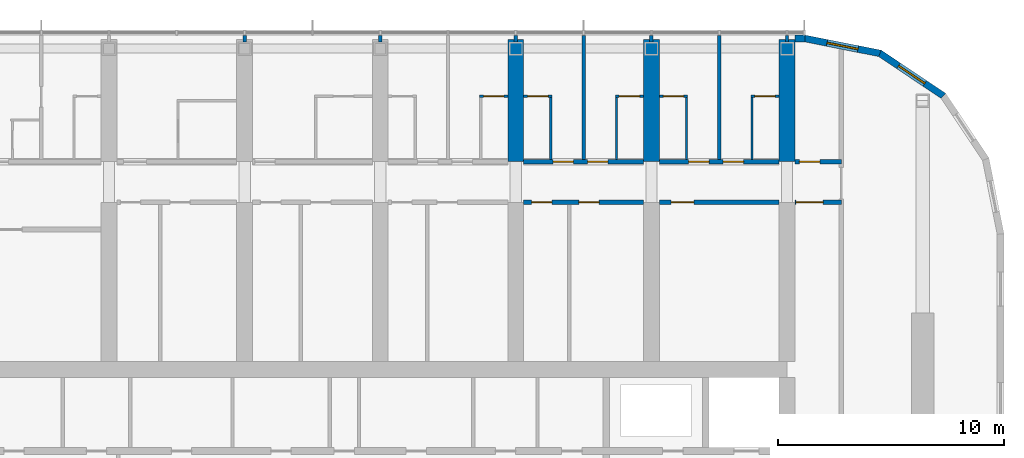
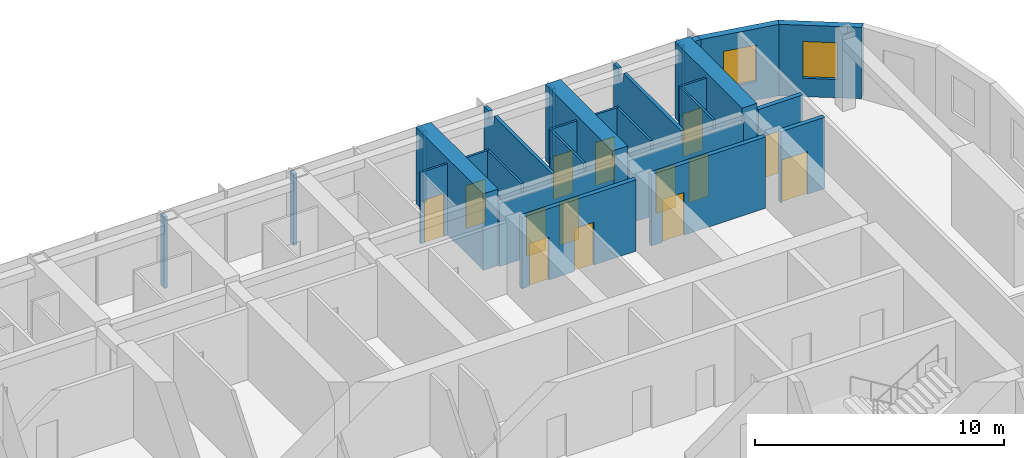
# One storey, part 18 of 24: 28 walls, 14 doors, 2 windows, 16 openings.
"""IFC4 building model written with IfcOpenShell, lengths in metres."""

from ifc_helpers import new_model, si_unit, direction, frame, frame_2d, origin, place, context, subcontext, project, spatial, polyline, rectangle, outline, extrude, material, layer, layer_set, type_object, element, fill, save


model = new_model("IFC4")

# Units and contexts
model_context = context("Model", 3, precision=1e-05, world=origin(), true_north=direction((0.0, 1.0)))
body_context = subcontext(model_context, "Body", "Model", "MODEL_VIEW")
ifc_project = project(units=[si_unit("LENGTHUNIT", "METRE"), si_unit("AREAUNIT", "SQUARE_METRE"), si_unit("VOLUMEUNIT", "CUBIC_METRE"), si_unit("PLANEANGLEUNIT", "RADIAN"), si_unit("MASSUNIT", "GRAM", prefix="KILO")], contexts=[model_context])

# Site, building, storey
site_placement = place(None, origin())
site = spatial("IfcSite", under=ifc_project, at=site_placement, CompositionType="ELEMENT")
building_placement = place(site_placement, origin())
building = spatial("IfcBuilding", under=site, at=building_placement, Name="Orbita Commons", CompositionType="ELEMENT")
storey_placement = place(building_placement, frame((0.0, 0.0, 239.050048828125)))
storey = spatial("IfcBuildingStorey", under=building, at=storey_placement, Name="L59", CompositionType="ELEMENT", Elevation=239.050048828125)

# Wall, openings, doors
ifc_material_1 = material(Name="Concrete blockwork", Category="masonry")
ifc_layer_1 = layer(ifc_material_1, 0.199951171875)
ifc_layer_set_1 = layer_set([ifc_layer_1], Name="Concrete blockwork")
wall_type_1 = type_object("IfcWallType", Name="Corridor wall 200 blockwork", PredefinedType="SOLIDWALL", material=ifc_layer_set_1)
wall_1_placement = place(storey_placement, frame((54.35009765625, 47.39990234375, 0.0), z_axis=(0.0, 0.0, 1.0), x_axis=(1.0, 0.0, 0.0)))
wall_1 = element("IfcWall", 1, at=wall_1_placement, inside=storey, type_object=wall_type_1, Name="Corridor wall 200 blockwork L59", PredefinedType="SOLIDWALL", context=body_context, shape_type="SweptSolid", body=[
    extrude(outline(polyline([(0.0, 0.0), (5.2998046875, 0.0), (5.300048828125, 3.099853515625), (0.0, 3.099853515625), (0.0, 0.0)])), frame((0.0, 0.10009765625, 0.0), z_axis=(0.0, -1.0, 0.0), x_axis=(1.0, 0.0, 0.0)), (0.0, 0.0, 1.0), 0.199951171875),
])
opening_1_placement = place(wall_1_placement, frame((1.300048828125, 0.0, 0.0)))
opening_1 = element("IfcOpeningElement", 2, at=opening_1_placement, cuts=wall_1, Name="Opening D11", PredefinedType="OPENING", context=body_context, shape_type="SweptSolid", body=[
    extrude(rectangle(XDim=0.89990234375, YDim=2.10009765625, at=frame_2d((0.449951171875, 1.050048828125))), frame((0.0, 0.10986328125, 0.0), z_axis=(0.0, -1.0, 0.0), x_axis=(1.0, 0.0, 0.0)), (0.0, 0.0, 1.0), 0.219970703125),
])
opening_2_placement = place(wall_1_placement, frame((2.824951171875, 0.0, 0.0)))
opening_2 = element("IfcOpeningElement", 3, at=opening_2_placement, cuts=wall_1, Name="Opening D11", PredefinedType="OPENING", context=body_context, shape_type="SweptSolid", body=[
    extrude(rectangle(XDim=0.89990234375, YDim=2.10009765625, at=frame_2d((0.449951171875, 1.050048828125))), frame((0.0, 0.10986328125, 0.0), z_axis=(0.0, -1.0, 0.0), x_axis=(1.0, 0.0, 0.0)), (0.0, 0.0, 1.0), 0.219970703125),
])
ifc_material_2 = material(Name="Steel-faced fire door leaf", Category="steel")
door_type_1 = type_object("IfcDoorType", Name="Corridor door 20 min 900x2100", OperationType="SINGLE_SWING_LEFT", PredefinedType="DOOR", material=ifc_material_2)
door_1_placement = place(opening_1_placement, origin())
door_1 = element("IfcDoor", 4, at=door_1_placement, inside=storey, type_object=door_type_1, Name="Cluster bedroom L59-N12 door", OperationType="SINGLE_SWING_LEFT", OverallHeight=2.10009765625, OverallWidth=0.89990234375, PredefinedType="DOOR", context=body_context, shape_type="SweptSolid", body=[
    extrude(rectangle(XDim=0.89990234375, YDim=2.10009765625, at=frame_2d((0.449951171875, 1.050048828125))), frame((0.0, 0.02490234375, 0.0), z_axis=(0.0, -1.0, 0.0), x_axis=(1.0, 0.0, 0.0)), (0.0, 0.0, 1.0), 0.050048828125),
])
fill(opening_1, door_1)
door_2_placement = place(opening_2_placement, origin())
door_2 = element("IfcDoor", 5, at=door_2_placement, inside=storey, type_object=door_type_1, Name="Cluster bedroom L59-N13 door", OperationType="SINGLE_SWING_LEFT", OverallHeight=2.10009765625, OverallWidth=0.89990234375, PredefinedType="DOOR", context=body_context, shape_type="SweptSolid", body=[
    extrude(rectangle(XDim=0.89990234375, YDim=2.10009765625, at=frame_2d((0.449951171875, 1.050048828125))), frame((0.0, 0.02490234375, 0.0), z_axis=(0.0, -1.0, 0.0), x_axis=(1.0, 0.0, 0.0)), (0.0, 0.0, 1.0), 0.050048828125),
])
fill(opening_2, door_2)

wall_2_placement = place(storey_placement, frame((60.35009765625, 47.39990234375, 0.0), z_axis=(0.0, 0.0, 1.0), x_axis=(1.0, 0.0, 0.0)))
wall_2 = element("IfcWall", 6, at=wall_2_placement, inside=storey, type_object=wall_type_1, Name="Corridor wall 200 blockwork L59", PredefinedType="SOLIDWALL", context=body_context, shape_type="SweptSolid", body=[
    extrude(outline(polyline([(0.0, 0.0), (5.2998046875, 0.0), (5.300048828125, 3.099853515625), (0.0, 3.099853515625), (0.0, 0.0)])), frame((0.0, 0.10009765625, 0.0), z_axis=(0.0, -1.0, 0.0), x_axis=(1.0, 0.0, 0.0)), (0.0, 0.0, 1.0), 0.199951171875),
])
opening_3_placement = place(wall_2_placement, frame((1.300048828125, 0.0, 0.0)))
opening_3 = element("IfcOpeningElement", 7, at=opening_3_placement, cuts=wall_2, Name="Opening D11", PredefinedType="OPENING", context=body_context, shape_type="SweptSolid", body=[
    extrude(rectangle(XDim=0.89990234375, YDim=2.10009765625, at=frame_2d((0.449951171875, 1.050048828125))), frame((0.0, 0.10986328125, 0.0), z_axis=(0.0, -1.0, 0.0), x_axis=(1.0, 0.0, 0.0)), (0.0, 0.0, 1.0), 0.219970703125),
])
opening_4_placement = place(wall_2_placement, frame((2.824951171875, 0.0, 0.0)))
opening_4 = element("IfcOpeningElement", 8, at=opening_4_placement, cuts=wall_2, Name="Opening D11", PredefinedType="OPENING", context=body_context, shape_type="SweptSolid", body=[
    extrude(rectangle(XDim=0.89990234375, YDim=2.10009765625, at=frame_2d((0.449951171875, 1.050048828125))), frame((0.0, 0.10986328125, 0.0), z_axis=(0.0, -1.0, 0.0), x_axis=(1.0, 0.0, 0.0)), (0.0, 0.0, 1.0), 0.219970703125),
])
door_3_placement = place(opening_3_placement, origin())
door_3 = element("IfcDoor", 9, at=door_3_placement, inside=storey, type_object=door_type_1, Name="Cluster bedroom L59-N14 door", OperationType="SINGLE_SWING_LEFT", OverallHeight=2.10009765625, OverallWidth=0.89990234375, PredefinedType="DOOR", context=body_context, shape_type="SweptSolid", body=[
    extrude(rectangle(XDim=0.89990234375, YDim=2.10009765625, at=frame_2d((0.449951171875, 1.050048828125))), frame((0.0, 0.02490234375, 0.0), z_axis=(0.0, -1.0, 0.0), x_axis=(1.0, 0.0, 0.0)), (0.0, 0.0, 1.0), 0.050048828125),
])
fill(opening_3, door_3)
door_4_placement = place(opening_4_placement, origin())
door_4 = element("IfcDoor", 10, at=door_4_placement, inside=storey, type_object=door_type_1, Name="Cluster bedroom L59-N15 door", OperationType="SINGLE_SWING_LEFT", OverallHeight=2.10009765625, OverallWidth=0.89990234375, PredefinedType="DOOR", context=body_context, shape_type="SweptSolid", body=[
    extrude(rectangle(XDim=0.89990234375, YDim=2.10009765625, at=frame_2d((0.449951171875, 1.050048828125))), frame((0.0, 0.02490234375, 0.0), z_axis=(0.0, -1.0, 0.0), x_axis=(1.0, 0.0, 0.0)), (0.0, 0.0, 1.0), 0.050048828125),
])
fill(opening_4, door_4)

# Wall, opening, door
wall_3_placement = place(storey_placement, frame((66.35009765625, 47.39990234375, 0.0), z_axis=(0.0, 0.0, 1.0), x_axis=(1.0, 0.0, 0.0)))
wall_3 = element("IfcWall", 11, at=wall_3_placement, inside=storey, type_object=wall_type_1, Name="Corridor wall 200 blockwork L59", PredefinedType="SOLIDWALL", context=body_context, shape_type="SweptSolid", body=[
    extrude(rectangle(XDim=2.0498046875, YDim=0.199951171875, at=frame_2d((1.02490234375, 0.0))), origin(), (0.0, 0.0, 1.0), 3.5),
])
opening_5_placement = place(wall_3_placement, frame((0.199951171875, 0.0, 0.0)))
opening_5 = element("IfcOpeningElement", 12, at=opening_5_placement, cuts=wall_3, Name="Opening D05", PredefinedType="OPENING", context=body_context, shape_type="SweptSolid", body=[
    extrude(rectangle(XDim=0.89990234375, YDim=2.10009765625, at=frame_2d((0.449951171875, 1.050048828125))), frame((0.0, 0.10986328125, 0.0), z_axis=(0.0, -1.0, 0.0), x_axis=(1.0, 0.0, 0.0)), (0.0, 0.0, 1.0), 0.219970703125),
])
ifc_material_3 = material(Name="Steel-faced fire door leaf", Category="steel")
door_type_2 = type_object("IfcDoorType", Name="Service door 20 min 900x2100", OperationType="SINGLE_SWING_LEFT", PredefinedType="DOOR", material=ifc_material_3)
door_5_placement = place(opening_5_placement, origin())
door_5 = element("IfcDoor", 13, at=door_5_placement, inside=storey, type_object=door_type_2, Name="Linen store L59-KEN door", OperationType="SINGLE_SWING_LEFT", OverallHeight=2.10009765625, OverallWidth=0.89990234375, PredefinedType="DOOR", context=body_context, shape_type="SweptSolid", body=[
    extrude(rectangle(XDim=0.89990234375, YDim=2.10009765625, at=frame_2d((0.449951171875, 1.050048828125))), frame((0.0, 0.02490234375, 0.0), z_axis=(0.0, -1.0, 0.0), x_axis=(1.0, 0.0, 0.0)), (0.0, 0.0, 1.0), 0.050048828125),
])
fill(opening_5, door_5)

# Wall, openings, doors
ifc_material_4 = material(Name="Hollow concrete block 200", Category="concrete")
ifc_layer_2 = layer(ifc_material_4, 0.199951171875)
ifc_layer_set_2 = layer_set([ifc_layer_2], Name="Hollow concrete block 200")
wall_type_2 = type_object("IfcWallType", Name="Corridor wall 200 hollow concrete block", PredefinedType="SOLIDWALL", material=ifc_layer_set_2)
wall_4_placement = place(storey_placement, frame((54.35009765625, 45.60009765625, 0.0), z_axis=(0.0, 0.0, 1.0), x_axis=(1.0, 0.0, 0.0)))
wall_4 = element("IfcWall", 14, at=wall_4_placement, inside=storey, type_object=wall_type_2, Name="Corridor wall 200 hollow concrete block L59", PredefinedType="SOLIDWALL", context=body_context, shape_type="SweptSolid", body=[
    extrude(rectangle(XDim=5.2998046875, YDim=0.199951171875, at=frame_2d((2.64990234375, 0.0))), origin(), (0.0, 0.0, 1.0), 3.5),
])
opening_6_placement = place(wall_4_placement, frame((0.35009765625, 0.0, 0.0)))
opening_6 = element("IfcOpeningElement", 15, at=opening_6_placement, cuts=wall_4, Name="Opening D11", PredefinedType="OPENING", context=body_context, shape_type="SweptSolid", body=[
    extrude(rectangle(XDim=0.89990234375, YDim=2.10009765625, at=frame_2d((0.449951171875, 1.050048828125))), frame((0.0, 0.10986328125, 0.0), z_axis=(0.0, -1.0, 0.0), x_axis=(1.0, 0.0, 0.0)), (0.0, 0.0, 1.0), 0.219970703125),
])
opening_7_placement = place(wall_4_placement, frame((2.43505859375, 0.0, 0.0)))
opening_7 = element("IfcOpeningElement", 16, at=opening_7_placement, cuts=wall_4, Name="Opening D11", PredefinedType="OPENING", context=body_context, shape_type="SweptSolid", body=[
    extrude(rectangle(XDim=0.89990234375, YDim=2.10009765625, at=frame_2d((0.449951171875, 1.050048828125))), frame((0.0, 0.10986328125, 0.0), z_axis=(0.0, -1.0, 0.0), x_axis=(1.0, 0.0, 0.0)), (0.0, 0.0, 1.0), 0.219970703125),
])
door_6_placement = place(opening_6_placement, origin())
door_6 = element("IfcDoor", 17, at=door_6_placement, inside=storey, type_object=door_type_1, Name="Sprinkler valve room L59-BDN54n door", OperationType="SINGLE_SWING_LEFT", OverallHeight=2.10009765625, OverallWidth=0.89990234375, PredefinedType="DOOR", context=body_context, shape_type="SweptSolid", body=[
    extrude(rectangle(XDim=0.89990234375, YDim=2.10009765625, at=frame_2d((0.449951171875, 1.050048828125))), frame((0.0, 0.02490234375, 0.0), z_axis=(0.0, -1.0, 0.0), x_axis=(1.0, 0.0, 0.0)), (0.0, 0.0, 1.0), 0.050048828125),
])
fill(opening_6, door_6)
door_7_placement = place(opening_7_placement, origin())
door_7 = element("IfcDoor", 18, at=door_7_placement, inside=storey, type_object=door_type_1, Name="Storage lockers L59-BDN54 door", OperationType="SINGLE_SWING_LEFT", OverallHeight=2.10009765625, OverallWidth=0.89990234375, PredefinedType="DOOR", context=body_context, shape_type="SweptSolid", body=[
    extrude(rectangle(XDim=0.89990234375, YDim=2.10009765625, at=frame_2d((0.449951171875, 1.050048828125))), frame((0.0, 0.02490234375, 0.0), z_axis=(0.0, -1.0, 0.0), x_axis=(1.0, 0.0, 0.0)), (0.0, 0.0, 1.0), 0.050048828125),
])
fill(opening_7, door_7)

# Wall, opening, door
wall_5_placement = place(storey_placement, frame((60.35009765625, 45.60009765625, 0.0), z_axis=(0.0, 0.0, 1.0), x_axis=(1.0, 0.0, 0.0)))
wall_5 = element("IfcWall", 19, at=wall_5_placement, inside=storey, type_object=wall_type_2, Name="Corridor wall 200 hollow concrete block L59", PredefinedType="SOLIDWALL", context=body_context, shape_type="SweptSolid", body=[
    extrude(rectangle(XDim=5.2998046875, YDim=0.199951171875, at=frame_2d((2.64990234375, 0.0))), origin(), (0.0, 0.0, 1.0), 3.5),
])
opening_8_placement = place(wall_5_placement, frame((0.52490234375, 0.0, 0.0)))
opening_8 = element("IfcOpeningElement", 20, at=opening_8_placement, cuts=wall_5, Name="Opening D06", PredefinedType="OPENING", context=body_context, shape_type="SweptSolid", body=[
    extrude(rectangle(XDim=1.0, YDim=2.10009765625, at=frame_2d((0.5, 1.050048828125))), frame((0.0, 0.10986328125, 0.0), z_axis=(0.0, -1.0, 0.0), x_axis=(1.0, 0.0, 0.0)), (0.0, 0.0, 1.0), 0.219970703125),
])
ifc_material_5 = material(Name="Steel-faced fire door leaf", Category="steel")
door_type_3 = type_object("IfcDoorType", Name="Corridor door 20 min 1000x2100", OperationType="SINGLE_SWING_LEFT", PredefinedType="DOOR", material=ifc_material_5)
door_8_placement = place(opening_8_placement, origin())
door_8 = element("IfcDoor", 21, at=door_8_placement, inside=storey, type_object=door_type_3, Name="Store L59-BDN60 door", OperationType="SINGLE_SWING_LEFT", OverallHeight=2.10009765625, OverallWidth=1.0, PredefinedType="DOOR", context=body_context, shape_type="SweptSolid", body=[
    extrude(rectangle(XDim=1.0, YDim=2.10009765625, at=frame_2d((0.5, 1.050048828125))), frame((0.0, 0.02490234375, 0.0), z_axis=(0.0, -1.0, 0.0), x_axis=(1.0, 0.0, 0.0)), (0.0, 0.0, 1.0), 0.050048828125),
])
fill(opening_8, door_8)

wall_6_placement = place(storey_placement, frame((66.35009765625, 45.60009765625, 0.0), z_axis=(0.0, 0.0, 1.0), x_axis=(1.0, 0.0, 0.0)))
wall_6 = element("IfcWall", 22, at=wall_6_placement, inside=storey, type_object=wall_type_2, Name="Corridor wall 200 hollow concrete block L59", PredefinedType="SOLIDWALL", context=body_context, shape_type="SweptSolid", body=[
    extrude(rectangle(XDim=2.0498046875, YDim=0.199951171875, at=frame_2d((1.02490234375, 0.0))), origin(), (0.0, 0.0, 1.0), 3.5),
])
opening_9_placement = place(wall_6_placement, frame((0.050048828125, 0.0, 0.0)))
opening_9 = element("IfcOpeningElement", 23, at=opening_9_placement, cuts=wall_6, Name="Opening D12", PredefinedType="OPENING", context=body_context, shape_type="SweptSolid", body=[
    extrude(rectangle(XDim=1.199951171875, YDim=2.10009765625, at=frame_2d((0.60009765625, 1.050048828125))), frame((0.0, 0.10986328125, 0.0), z_axis=(0.0, -1.0, 0.0), x_axis=(1.0, 0.0, 0.0)), (0.0, 0.0, 1.0), 0.219970703125),
])
ifc_material_6 = material(Name="Steel-faced fire door leaf", Category="steel")
door_type_4 = type_object("IfcDoorType", Name="Double corridor door 20 min 1200x2100", OperationType="DOUBLE_DOOR_SINGLE_SWING", PredefinedType="DOOR", material=ifc_material_6)
door_9_placement = place(opening_9_placement, origin())
door_9 = element("IfcDoor", 24, at=door_9_placement, inside=storey, type_object=door_type_4, Name="Cross corridor doors", OperationType="DOUBLE_DOOR_SINGLE_SWING", OverallHeight=2.10009765625, OverallWidth=1.199951171875, PredefinedType="DOOR", context=body_context, shape_type="SweptSolid", body=[
    extrude(rectangle(XDim=1.199951171875, YDim=2.10009765625, at=frame_2d((0.60009765625, 1.050048828125))), frame((0.0, 0.02490234375, 0.0), z_axis=(0.0, -1.0, 0.0), x_axis=(1.0, 0.0, 0.0)), (0.0, 0.0, 1.0), 0.050048828125),
])
fill(opening_9, door_9)

# Walls
ifc_material_7 = material(Name="Concrete C50/60", Category="concrete")
ifc_layer_3 = layer(ifc_material_7, 0.699951171875)
ifc_layer_set_3 = layer_set([ifc_layer_3], Name="Concrete C50/60")
wall_type_3 = type_object("IfcWallType", Name="Cross wall 700 C50/60", PredefinedType="SHEAR", material=ifc_layer_set_3)
for number, where, z_axis, x_axis, name in (
    (25, (54.0, 47.39990234375, 0.0), (0.0, 0.0, 1.0), (0.0, 1.0, 0.0), "Cross wall 10 north outer L59"),
    (26, (60.0, 47.39990234375, 0.0), (0.0, 0.0, 1.0), (0.0, 1.0, 0.0), "Cross wall 11 north outer L59"),
    (27, (66.0, 47.39990234375, 0.0), (0.0, 0.0, 1.0), (0.0, 1.0, 0.0), "Cross wall 12 north outer L59"),
):
    element("IfcWall", number, at=place(storey_placement, frame(where, z_axis=z_axis, x_axis=x_axis)), inside=storey, type_object=wall_type_3, Name=name, PredefinedType="SHEAR", context=body_context, shape_type="SweptSolid", body=[
        extrude(rectangle(XDim=5.400146484375, YDim=0.699951171875, at=frame_2d((2.7001953125, 0.0))), origin(), (0.0, 0.0, 1.0), 3.75),
    ])

# Wall, opening, door
ifc_material_8 = material(Name="Moisture-resistant plasterboard on steel studs", Category="steel")
ifc_layer_4 = layer(ifc_material_8, 0.10009765625)
ifc_layer_set_4 = layer_set([ifc_layer_4], Name="Moisture-resistant plasterboard on steel studs")
wall_type_4 = type_object("IfcWallType", Name="En-suite partition 100", PredefinedType="PARTITIONING", material=ifc_layer_set_4)
wall_7_placement = place(storey_placement, frame((52.39990234375, 50.300048828125, 0.0), z_axis=(0.0, 0.0, 1.0), x_axis=(1.0, 0.0, 0.0)))
wall_7 = element("IfcWall", 28, at=wall_7_placement, inside=storey, type_object=wall_type_4, Name="En-suite partition 100 L59", PredefinedType="PARTITIONING", context=body_context, shape_type="SweptSolid", body=[
    extrude(rectangle(XDim=1.25, YDim=0.10009765625, at=frame_2d((0.625, 0.0))), origin(), (0.0, 0.0, 1.0), 3.5),
])
opening_10_placement = place(wall_7_placement, frame((0.175048828125, 0.0, 0.0)))
opening_10 = element("IfcOpeningElement", 29, at=opening_10_placement, cuts=wall_7, Name="Opening D09", PredefinedType="OPENING", context=body_context, shape_type="SweptSolid", body=[
    extrude(rectangle(XDim=0.89990234375, YDim=2.10009765625, at=frame_2d((0.449951171875, 1.050048828125))), frame((0.0, 0.06005859375, 0.0), z_axis=(0.0, -1.0, 0.0), x_axis=(1.0, 0.0, 0.0)), (0.0, 0.0, 1.0), 0.1201171875),
])
ifc_material_9 = material(Name="Laminated timber door leaf", Category="wood")
door_type_5 = type_object("IfcDoorType", Name="En-suite door 900x2100", OperationType="SINGLE_SWING_RIGHT", PredefinedType="DOOR", material=ifc_material_9)
door_10_placement = place(opening_10_placement, origin())
door_10 = element("IfcDoor", 30, at=door_10_placement, inside=storey, type_object=door_type_5, Name="En-suite L59-N11 door", OperationType="SINGLE_SWING_RIGHT", OverallHeight=2.10009765625, OverallWidth=0.89990234375, PredefinedType="DOOR", context=body_context, shape_type="SweptSolid", body=[
    extrude(rectangle(XDim=0.89990234375, YDim=2.10009765625, at=frame_2d((0.449951171875, 1.050048828125))), frame((0.0, 0.02490234375, 0.0), z_axis=(0.0, -1.0, 0.0), x_axis=(1.0, 0.0, 0.0)), (0.0, 0.0, 1.0), 0.050048828125),
])
fill(opening_10, door_10)

wall_8_placement = place(storey_placement, frame((54.35009765625, 50.300048828125, 0.0), z_axis=(0.0, 0.0, 1.0), x_axis=(1.0, 0.0, 0.0)))
wall_8 = element("IfcWall", 31, at=wall_8_placement, inside=storey, type_object=wall_type_4, Name="En-suite partition 100 L59", PredefinedType="PARTITIONING", context=body_context, shape_type="SweptSolid", body=[
    extrude(rectangle(XDim=1.25, YDim=0.10009765625, at=frame_2d((0.625, 0.0))), origin(), (0.0, 0.0, 1.0), 3.5),
])
opening_11_placement = place(wall_8_placement, frame((0.175048828125, 0.0, 0.0)))
opening_11 = element("IfcOpeningElement", 32, at=opening_11_placement, cuts=wall_8, Name="Opening D09", PredefinedType="OPENING", context=body_context, shape_type="SweptSolid", body=[
    extrude(rectangle(XDim=0.89990234375, YDim=2.10009765625, at=frame_2d((0.449951171875, 1.050048828125))), frame((0.0, 0.06005859375, 0.0), z_axis=(0.0, -1.0, 0.0), x_axis=(1.0, 0.0, 0.0)), (0.0, 0.0, 1.0), 0.1201171875),
])
door_11_placement = place(opening_11_placement, origin())
door_11 = element("IfcDoor", 33, at=door_11_placement, inside=storey, type_object=door_type_5, Name="En-suite L59-N12 door", OperationType="SINGLE_SWING_RIGHT", OverallHeight=2.10009765625, OverallWidth=0.89990234375, PredefinedType="DOOR", context=body_context, shape_type="SweptSolid", body=[
    extrude(rectangle(XDim=0.89990234375, YDim=2.10009765625, at=frame_2d((0.449951171875, 1.050048828125))), frame((0.0, 0.02490234375, 0.0), z_axis=(0.0, -1.0, 0.0), x_axis=(1.0, 0.0, 0.0)), (0.0, 0.0, 1.0), 0.050048828125),
])
fill(opening_11, door_11)

# Wall
wall_9_placement = place(storey_placement, frame((55.550048828125, 50.25, 0.0), z_axis=(0.0, 0.0, 1.0), x_axis=(0.0, -1.0, 0.0)))
element("IfcWall", 34, at=wall_9_placement, inside=storey, type_object=wall_type_4, Name="En-suite partition 100 L59", PredefinedType="PARTITIONING", context=body_context, shape_type="SweptSolid", body=[
    extrude(outline(polyline([(0.0, 0.0), (2.75, 0.0), (2.75, 3.099853515625), (2.701904296875, 3.099853515625), (2.699951171875, 3.5), (0.0, 3.5), (0.0, 0.0)])), frame((0.0, 0.050048828125, 0.0), z_axis=(0.0, -1.0, 0.0), x_axis=(1.0, 0.0, 0.0)), (0.0, 0.0, 1.0), 0.10009765625),
])

# Wall, opening, door
wall_10_placement = place(storey_placement, frame((58.39990234375, 50.300048828125, 0.0), z_axis=(0.0, 0.0, 1.0), x_axis=(1.0, 0.0, 0.0)))
wall_10 = element("IfcWall", 35, at=wall_10_placement, inside=storey, type_object=wall_type_4, Name="En-suite partition 100 L59", PredefinedType="PARTITIONING", context=body_context, shape_type="SweptSolid", body=[
    extrude(rectangle(XDim=1.25, YDim=0.10009765625, at=frame_2d((0.625, 0.0))), origin(), (0.0, 0.0, 1.0), 3.5),
])
opening_12_placement = place(wall_10_placement, frame((0.175048828125, 0.0, 0.0)))
opening_12 = element("IfcOpeningElement", 36, at=opening_12_placement, cuts=wall_10, Name="Opening D09", PredefinedType="OPENING", context=body_context, shape_type="SweptSolid", body=[
    extrude(rectangle(XDim=0.89990234375, YDim=2.10009765625, at=frame_2d((0.449951171875, 1.050048828125))), frame((0.0, 0.06005859375, 0.0), z_axis=(0.0, -1.0, 0.0), x_axis=(1.0, 0.0, 0.0)), (0.0, 0.0, 1.0), 0.1201171875),
])
door_12_placement = place(opening_12_placement, origin())
door_12 = element("IfcDoor", 37, at=door_12_placement, inside=storey, type_object=door_type_5, Name="En-suite L59-N13 door", OperationType="SINGLE_SWING_RIGHT", OverallHeight=2.10009765625, OverallWidth=0.89990234375, PredefinedType="DOOR", context=body_context, shape_type="SweptSolid", body=[
    extrude(rectangle(XDim=0.89990234375, YDim=2.10009765625, at=frame_2d((0.449951171875, 1.050048828125))), frame((0.0, 0.02490234375, 0.0), z_axis=(0.0, -1.0, 0.0), x_axis=(1.0, 0.0, 0.0)), (0.0, 0.0, 1.0), 0.050048828125),
])
fill(opening_12, door_12)

# Wall
wall_11_placement = place(storey_placement, frame((58.449951171875, 50.25, 0.0), z_axis=(0.0, 0.0, 1.0), x_axis=(0.0, -1.0, 0.0)))
element("IfcWall", 38, at=wall_11_placement, inside=storey, type_object=wall_type_4, Name="En-suite partition 100 L59", PredefinedType="PARTITIONING", context=body_context, shape_type="SweptSolid", body=[
    extrude(outline(polyline([(0.0, 0.0), (2.75, 0.0), (2.75, 3.099853515625), (2.701904296875, 3.099853515625), (2.699951171875, 3.5), (0.0, 3.5), (0.0, 0.0)])), frame((0.0, 0.050048828125, 0.0), z_axis=(0.0, -1.0, 0.0), x_axis=(1.0, 0.0, 0.0)), (0.0, 0.0, 1.0), 0.10009765625),
])

# Wall, opening, door
wall_12_placement = place(storey_placement, frame((60.35009765625, 50.300048828125, 0.0), z_axis=(0.0, 0.0, 1.0), x_axis=(1.0, 0.0, 0.0)))
wall_12 = element("IfcWall", 39, at=wall_12_placement, inside=storey, type_object=wall_type_4, Name="En-suite partition 100 L59", PredefinedType="PARTITIONING", context=body_context, shape_type="SweptSolid", body=[
    extrude(rectangle(XDim=1.25, YDim=0.10009765625, at=frame_2d((0.625, 0.0))), origin(), (0.0, 0.0, 1.0), 3.5),
])
opening_13_placement = place(wall_12_placement, frame((0.175048828125, 0.0, 0.0)))
opening_13 = element("IfcOpeningElement", 40, at=opening_13_placement, cuts=wall_12, Name="Opening D09", PredefinedType="OPENING", context=body_context, shape_type="SweptSolid", body=[
    extrude(rectangle(XDim=0.89990234375, YDim=2.10009765625, at=frame_2d((0.449951171875, 1.050048828125))), frame((0.0, 0.06005859375, 0.0), z_axis=(0.0, -1.0, 0.0), x_axis=(1.0, 0.0, 0.0)), (0.0, 0.0, 1.0), 0.1201171875),
])
door_13_placement = place(opening_13_placement, origin())
door_13 = element("IfcDoor", 41, at=door_13_placement, inside=storey, type_object=door_type_5, Name="En-suite L59-N14 door", OperationType="SINGLE_SWING_RIGHT", OverallHeight=2.10009765625, OverallWidth=0.89990234375, PredefinedType="DOOR", context=body_context, shape_type="SweptSolid", body=[
    extrude(rectangle(XDim=0.89990234375, YDim=2.10009765625, at=frame_2d((0.449951171875, 1.050048828125))), frame((0.0, 0.02490234375, 0.0), z_axis=(0.0, -1.0, 0.0), x_axis=(1.0, 0.0, 0.0)), (0.0, 0.0, 1.0), 0.050048828125),
])
fill(opening_13, door_13)

# Wall
wall_13_placement = place(storey_placement, frame((61.550048828125, 50.25, 0.0), z_axis=(0.0, 0.0, 1.0), x_axis=(0.0, -1.0, 0.0)))
element("IfcWall", 42, at=wall_13_placement, inside=storey, type_object=wall_type_4, Name="En-suite partition 100 L59", PredefinedType="PARTITIONING", context=body_context, shape_type="SweptSolid", body=[
    extrude(outline(polyline([(0.0, 0.0), (2.75, 0.0), (2.75, 3.099853515625), (2.701904296875, 3.099853515625), (2.699951171875, 3.5), (0.0, 3.5), (0.0, 0.0)])), frame((0.0, 0.050048828125, 0.0), z_axis=(0.0, -1.0, 0.0), x_axis=(1.0, 0.0, 0.0)), (0.0, 0.0, 1.0), 0.10009765625),
])

# Wall, opening, door
wall_14_placement = place(storey_placement, frame((64.39990234375, 50.300048828125, 0.0), z_axis=(0.0, 0.0, 1.0), x_axis=(1.0, 0.0, 0.0)))
wall_14 = element("IfcWall", 43, at=wall_14_placement, inside=storey, type_object=wall_type_4, Name="En-suite partition 100 L59", PredefinedType="PARTITIONING", context=body_context, shape_type="SweptSolid", body=[
    extrude(rectangle(XDim=1.25, YDim=0.10009765625, at=frame_2d((0.625, 0.0))), origin(), (0.0, 0.0, 1.0), 3.5),
])
opening_14_placement = place(wall_14_placement, frame((0.175048828125, 0.0, 0.0)))
opening_14 = element("IfcOpeningElement", 44, at=opening_14_placement, cuts=wall_14, Name="Opening D09", PredefinedType="OPENING", context=body_context, shape_type="SweptSolid", body=[
    extrude(rectangle(XDim=0.89990234375, YDim=2.10009765625, at=frame_2d((0.449951171875, 1.050048828125))), frame((0.0, 0.06005859375, 0.0), z_axis=(0.0, -1.0, 0.0), x_axis=(1.0, 0.0, 0.0)), (0.0, 0.0, 1.0), 0.1201171875),
])
door_14_placement = place(opening_14_placement, origin())
door_14 = element("IfcDoor", 45, at=door_14_placement, inside=storey, type_object=door_type_5, Name="En-suite L59-N15 door", OperationType="SINGLE_SWING_RIGHT", OverallHeight=2.10009765625, OverallWidth=0.89990234375, PredefinedType="DOOR", context=body_context, shape_type="SweptSolid", body=[
    extrude(rectangle(XDim=0.89990234375, YDim=2.10009765625, at=frame_2d((0.449951171875, 1.050048828125))), frame((0.0, 0.02490234375, 0.0), z_axis=(0.0, -1.0, 0.0), x_axis=(1.0, 0.0, 0.0)), (0.0, 0.0, 1.0), 0.050048828125),
])
fill(opening_14, door_14)

# Walls
wall_15_placement = place(storey_placement, frame((64.449951171875, 50.25, 0.0), z_axis=(0.0, 0.0, 1.0), x_axis=(0.0, -1.0, 0.0)))
element("IfcWall", 46, at=wall_15_placement, inside=storey, type_object=wall_type_4, Name="En-suite partition 100 L59", PredefinedType="PARTITIONING", context=body_context, shape_type="SweptSolid", body=[
    extrude(outline(polyline([(0.0, 0.0), (2.75, 0.0), (2.75, 3.099853515625), (2.701904296875, 3.099853515625), (2.699951171875, 3.5), (0.0, 3.5), (0.0, 0.0)])), frame((0.0, 0.050048828125, 0.0), z_axis=(0.0, -1.0, 0.0), x_axis=(1.0, 0.0, 0.0)), (0.0, 0.0, 1.0), 0.10009765625),
])
ifc_material_10 = material(Name="Gypsum plasterboard on steel studs", Category="steel")
ifc_layer_5 = layer(ifc_material_10, 0.14990234375)
ifc_layer_set_5 = layer_set([ifc_layer_5], Name="Gypsum plasterboard on steel studs")
wall_type_5 = type_object("IfcWallType", Name="Partition 150 plasterboard", PredefinedType="PARTITIONING", material=ifc_layer_set_5)
for number, where, z_axis, x_axis, name in (
    (47, (42.0, 52.699951171875, 0.0), (0.0, 0.0, 1.0), (0.0, 1.0, 0.0), "Partition 150 plasterboard L59"),
    (48, (48.0, 52.699951171875, 0.0), (0.0, 0.0, 1.0), (0.0, 1.0, 0.0), "Partition 150 plasterboard L59"),
    (49, (54.0, 52.699951171875, 0.0), (0.0, 0.0, 1.0), (0.0, 1.0, 0.0), "Partition 150 plasterboard L59"),
    (50, (60.0, 52.699951171875, 0.0), (0.0, 0.0, 1.0), (0.0, 1.0, 0.0), "Partition 150 plasterboard L59"),
    (51, (66.0, 52.699951171875, 0.0), (0.0, 0.0, 1.0), (0.0, 1.0, 0.0), "Partition 150 plasterboard L59"),
):
    element("IfcWall", number, at=place(storey_placement, frame(where, z_axis=z_axis, x_axis=x_axis)), inside=storey, type_object=wall_type_5, Name=name, PredefinedType="PARTITIONING", context=body_context, shape_type="SweptSolid", body=[
        extrude(rectangle(XDim=0.2900390625, YDim=0.14990234375, at=frame_2d((0.14501953125, 0.0))), origin(), (0.0, 0.0, 1.0), 3.5),
    ])
ifc_material_11 = material(Name="Gypsum plasterboard on steel studs", Category="steel")
ifc_layer_6 = layer(ifc_material_11, 0.14990234375)
ifc_layer_set_6 = layer_set([ifc_layer_6], Name="Gypsum plasterboard on steel studs")
wall_type_6 = type_object("IfcWallType", Name="Party wall 150 plasterboard", PredefinedType="PARTITIONING", material=ifc_layer_set_6)
for number, where, z_axis, x_axis, name in (
    (52, (57.0, 52.989990234375, 0.0), (0.0, 0.0, 1.0), (0.0, -1.0, 0.0), "Party wall 150 plasterboard L59"),
    (53, (63.0, 52.989990234375, 0.0), (0.0, 0.0, 1.0), (0.0, -1.0, 0.0), "Party wall 150 plasterboard L59"),
):
    element("IfcWall", number, at=place(storey_placement, frame(where, z_axis=z_axis, x_axis=x_axis)), inside=storey, type_object=wall_type_6, Name=name, PredefinedType="PARTITIONING", context=body_context, shape_type="SweptSolid", body=[
        extrude(outline(polyline([(0.0, 0.0), (5.489990234375, 0.0), (5.489990234375, 3.099853515625), (5.44189453125, 3.099853515625), (5.43994140625, 3.5), (0.7919921875, 3.5), (0.7900390625, 3.099853515625), (0.39208984375, 3.099853515625), (0.389892578125, 3.5), (0.0, 3.5), (0.0, 0.0)])), frame((0.0, 0.074951171875, 0.0), z_axis=(0.0, -1.0, 0.0), x_axis=(1.0, 0.0, 0.0)), (0.0, 0.0, 1.0), 0.14990234375),
    ])

# Wall, opening, window
ifc_material_12 = material(Name="Precast concrete C40/50, white board-marked finish", Category="concrete")
ifc_layer_7 = layer(ifc_material_12, 0.300048828125)
ifc_layer_set_7 = layer_set([ifc_layer_7], Name="Precast concrete C40/50, white board-marked finish")
wall_type_7 = type_object("IfcWallType", Name="Precast concrete end shield 300", PredefinedType="SOLIDWALL", material=ifc_layer_set_7)
wall_16_placement = place(storey_placement, frame((72.91650390625, 50.31640625, 0.0), z_axis=(0.0, 0.0, 1.0), x_axis=(-0.831460037396, 0.555584562613, 0.0)))
wall_16 = element("IfcWall", 54, at=wall_16_placement, inside=storey, type_object=wall_type_7, Name="End shield NE chord 3 L59", PredefinedType="SOLIDWALL", context=body_context, shape_type="SweptSolid", body=[
    extrude(outline(polyline([(-0.02978515625, -0.14990234375), (3.405029296875, -0.14990234375), (3.345458984375, 0.14990234375), (0.02978515625, 0.14990234375), (-0.02978515625, -0.14990234375)])), origin(), (0.0, 0.0, 1.0), 3.5),
])
opening_15_placement = place(wall_16_placement, frame((0.987548828125, 0.0, 0.89990234375)))
opening_15 = element("IfcOpeningElement", 55, at=opening_15_placement, cuts=wall_16, Name="Opening W02", PredefinedType="OPENING", context=body_context, shape_type="SweptSolid", body=[
    extrude(rectangle(XDim=1.39990234375, YDim=1.800048828125, at=frame_2d((0.699951171875, 0.89990234375))), frame((0.0, 0.159912109375, 0.0), z_axis=(0.0, -1.0, 0.0), x_axis=(1.0, 0.0, 0.0)), (0.0, 0.0, 1.0), 0.320068359375),
])
ifc_material_13 = material(Name="Aluminium frame, clear double glazing", Category="aluminium")
window_type = type_object("IfcWindowType", Name="Deep-set window 1400x1800", PartitioningType="SINGLE_PANEL", PredefinedType="WINDOW", material=ifc_material_13)
window_1_placement = place(opening_15_placement, origin())
window_1 = element("IfcWindow", 56, at=window_1_placement, inside=storey, type_object=window_type, Name="Window L59-NE2", OverallHeight=1.800048828125, OverallWidth=1.39990234375, PartitioningType="SINGLE_PANEL", PredefinedType="WINDOW", context=body_context, shape_type="SweptSolid", body=[
    extrude(rectangle(XDim=1.39990234375, YDim=1.800048828125, at=frame_2d((0.699951171875, 0.89990234375))), frame((0.0, 0.030029296875, 0.0), z_axis=(0.0, -1.0, 0.0), x_axis=(1.0, 0.0, 0.0)), (0.0, 0.0, 1.0), 0.06005859375),
])
fill(opening_15, window_1)

wall_17_placement = place(storey_placement, frame((70.110107421875, 52.191650390625, 0.0), z_axis=(0.0, 0.0, 1.0), x_axis=(-0.98078325777, 0.195100490205, 0.0)))
wall_17 = element("IfcWall", 57, at=wall_17_placement, inside=storey, type_object=wall_type_7, Name="End shield NE chord 4 L59", PredefinedType="SOLIDWALL", context=body_context, shape_type="SweptSolid", body=[
    extrude(outline(polyline([(-0.02978515625, -0.14990234375), (3.40478515625, -0.14990234375), (3.34521484375, 0.14990234375), (0.02978515625, 0.14990234375), (-0.02978515625, -0.14990234375)])), origin(), (0.0, 0.0, 1.0), 3.5),
])
opening_16_placement = place(wall_17_placement, frame((0.987548828125, 0.0, 0.89990234375)))
opening_16 = element("IfcOpeningElement", 58, at=opening_16_placement, cuts=wall_17, Name="Opening W02", PredefinedType="OPENING", context=body_context, shape_type="SweptSolid", body=[
    extrude(rectangle(XDim=1.39990234375, YDim=1.800048828125, at=frame_2d((0.699951171875, 0.89990234375))), frame((0.0, 0.159912109375, 0.0), z_axis=(0.0, -1.0, 0.0), x_axis=(1.0, 0.0, 0.0)), (0.0, 0.0, 1.0), 0.320068359375),
])
window_2_placement = place(opening_16_placement, origin())
window_2 = element("IfcWindow", 59, at=window_2_placement, inside=storey, type_object=window_type, Name="Window L59-NE3", OverallHeight=1.800048828125, OverallWidth=1.39990234375, PartitioningType="SINGLE_PANEL", PredefinedType="WINDOW", context=body_context, shape_type="SweptSolid", body=[
    extrude(rectangle(XDim=1.39990234375, YDim=1.800048828125, at=frame_2d((0.699951171875, 0.89990234375))), frame((0.0, 0.030029296875, 0.0), z_axis=(0.0, -1.0, 0.0), x_axis=(1.0, 0.0, 0.0)), (0.0, 0.0, 1.0), 0.06005859375),
])
fill(opening_16, window_2)

# Wall
wall_18_placement = place(storey_placement, frame((66.800048828125, 52.85009765625, 0.0), z_axis=(0.0, 0.0, 1.0), x_axis=(-1.0, 0.0, 0.0)))
element("IfcWall", 60, at=wall_18_placement, inside=storey, type_object=wall_type_7, Name="End shield NE closer L59", PredefinedType="SOLIDWALL", context=body_context, shape_type="SweptSolid", body=[
    extrude(rectangle(XDim=0.449951171875, YDim=0.300048828125, at=frame_2d((0.22509765625, 0.0))), origin(), (0.0, 0.0, 1.0), 3.5),
])

save(model, "model.ifc")
